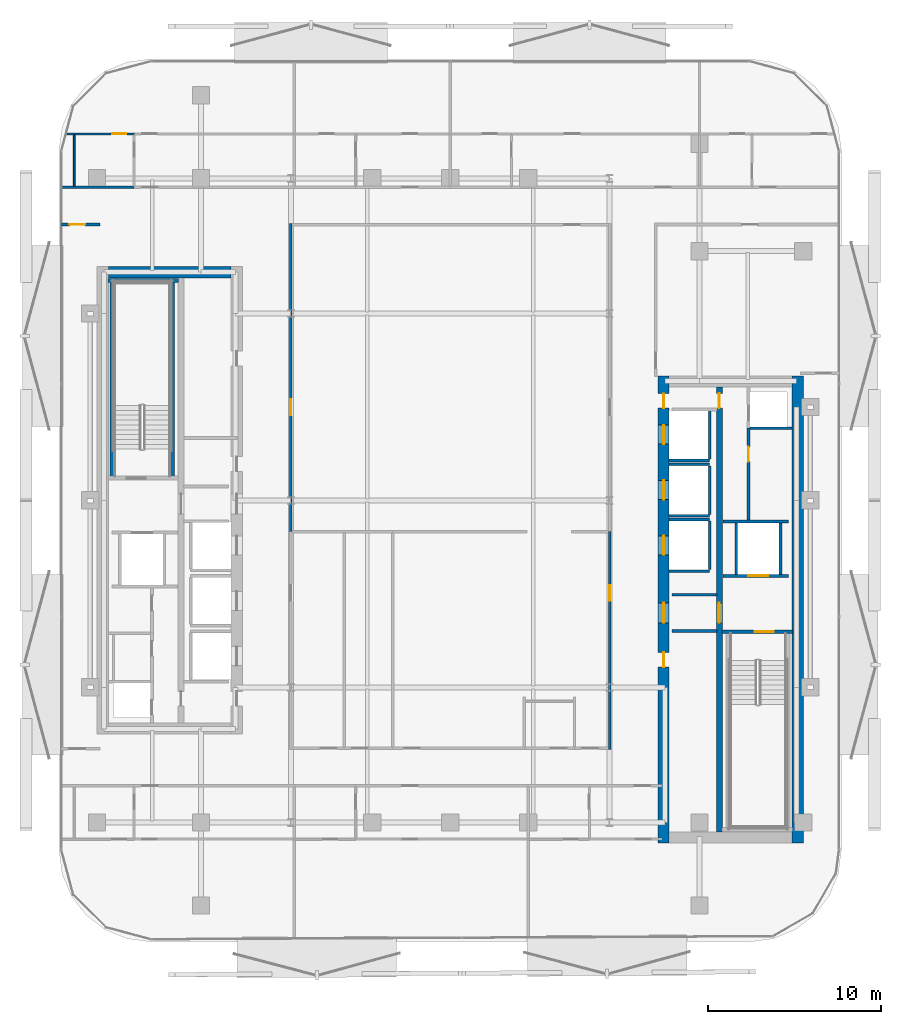
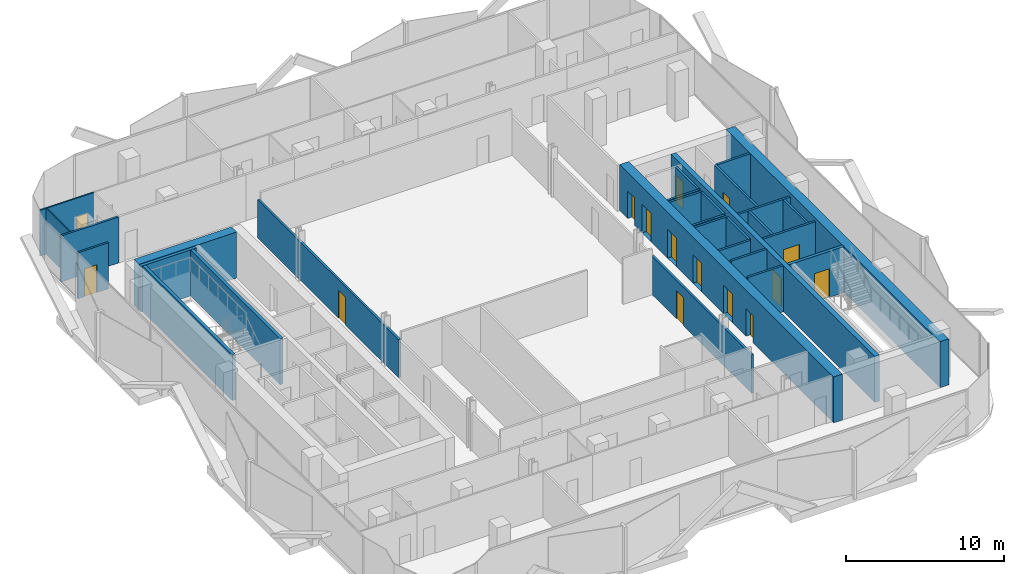
# One storey, part 5 of 17: 30 walls, 15 doors, 15 openings.
"""IFC4 building model written with IfcOpenShell, lengths in metres."""

from ifc_helpers import new_model, si_unit, direction, frame, frame_2d, origin, place, context, subcontext, project, spatial, rectangle, extrude, material, layer, layer_set, type_object, element, fill, save


model = new_model("IFC4")

# Units and contexts
model_context = context("Model", 3, precision=1e-05, world=origin(), true_north=direction((0.0, 1.0)))
body_context = subcontext(model_context, "Body", "Model", "MODEL_VIEW")
ifc_project = project(units=[si_unit("LENGTHUNIT", "METRE"), si_unit("AREAUNIT", "SQUARE_METRE"), si_unit("VOLUMEUNIT", "CUBIC_METRE"), si_unit("PLANEANGLEUNIT", "RADIAN"), si_unit("MASSUNIT", "GRAM", prefix="KILO")], contexts=[model_context])

# Site, building, storey
site_placement = place(None, origin())
site = spatial("IfcSite", under=ifc_project, at=site_placement, CompositionType="ELEMENT")
building_placement = place(site_placement, origin())
building = spatial("IfcBuilding", under=site, at=building_placement, Name="Khairoan Windgate Tower", CompositionType="ELEMENT")
storey_placement = place(building_placement, frame((0.0, 0.0, 203.0)))
storey = spatial("IfcBuildingStorey", under=building, at=storey_placement, Name="L47", CompositionType="ELEMENT", Elevation=203.0)

# Wall, opening, door
ifc_material_1 = material(Name="Moisture-Resistant Gypsum Partition", Category="gypsum")
ifc_layer_1 = layer(ifc_material_1, 0.10009765625, Name="Moisture-Resistant Gypsum Partition")
ifc_layer_set_1 = layer_set([ifc_layer_1], Name="Moisture-Resistant Gypsum Partition")
wall_type_1 = type_object("IfcWallType", Name="Bathroom Wet-Area Partition Wall", PredefinedType="PARTITIONING", material=ifc_layer_set_1)
wall_1_placement = place(storey_placement, frame((-22.193115234375, 21.169921875, 0.0), z_axis=(0.0, 0.0, 1.0), x_axis=(1.0, 0.0, 0.0)))
wall_1 = element("IfcWall", 1, at=wall_1_placement, inside=storey, type_object=wall_type_1, Name="L47 Interior Partition 047", PredefinedType="PARTITIONING", context=body_context, shape_type="SweptSolid", body=[
    extrude(rectangle(XDim=3.93310546875, YDim=0.10009765625, at=frame_2d((1.966552734375, 0.0))), origin(), (0.0, 0.0, 1.0), 3.5400390625),
])
opening_1_placement = place(wall_1_placement, frame((2.673095703125, 0.0, 0.0)))
opening_1 = element("IfcOpeningElement", 2, at=opening_1_placement, cuts=wall_1, Name="Opening ID-BTH", PredefinedType="OPENING", context=body_context, shape_type="SweptSolid", body=[
    extrude(rectangle(XDim=0.800048828125, YDim=2.10009765625, at=frame_2d((0.39990234375, 1.050048828125))), frame((0.0, 0.06005859375, 0.0), z_axis=(0.0, -1.0, 0.0), x_axis=(1.0, 0.0, 0.0)), (0.0, 0.0, 1.0), 0.1201171875),
])
ifc_material_2 = material(Name="Teak Veneer Timber Leaf", Category="wood")
door_type_1 = type_object("IfcDoorType", Name="Internal Bathroom Door ID-BTH 800x2100", OperationType="NOTDEFINED", PredefinedType="DOOR", material=ifc_material_2)
door_1_placement = place(opening_1_placement, origin())
door_1 = element("IfcDoor", 3, at=door_1_placement, inside=storey, type_object=door_type_1, Name="L47 L47-37-L47-39 Door", OperationType="SINGLE_SWING_LEFT", OverallHeight=2.10009765625, OverallWidth=0.800048828125, PredefinedType="DOOR", context=body_context, shape_type="SweptSolid", body=[
    extrude(rectangle(XDim=0.800048828125, YDim=2.10009765625, at=frame_2d((0.39990234375, 1.050048828125))), frame((0.0, 0.02490234375, 0.0), z_axis=(0.0, -1.0, 0.0), x_axis=(1.0, 0.0, 0.0)), (0.0, 0.0, 1.0), 0.050048828125),
])
fill(opening_1, door_1)

# Walls
wall_2_placement = place(storey_placement, frame((-21.719970703125, 18.155029296875, 0.0), z_axis=(0.0, 0.0, 1.0), x_axis=(0.0, 1.0, 0.0)))
element("IfcWall", 4, at=wall_2_placement, inside=storey, type_object=wall_type_1, Name="L47 Wet Room Side Wall 080", PredefinedType="PARTITIONING", context=body_context, shape_type="SweptSolid", body=[
    extrude(rectangle(XDim=2.965087890625, YDim=0.10009765625, at=frame_2d((1.482421875, 0.0))), origin(), (0.0, 0.0, 1.0), 3.5400390625),
])
ifc_material_3 = material(Name="Concrete C40/50", Category="concrete")
ifc_layer_2 = layer(ifc_material_3, 0.159912109375, Name="Concrete C40/50")
ifc_layer_set_2 = layer_set([ifc_layer_2], Name="Concrete C40/50")
wall_type_2 = type_object("IfcWallType", Name="Core and Hoistway Enclosure Wall", PredefinedType="STANDARD", material=ifc_layer_set_2)
wall_3_placement = place(storey_placement, frame((12.64990234375, 2.31005859375, 0.0), z_axis=(0.0, 0.0, 1.0), x_axis=(1.0, 0.0, 0.0)))
element("IfcWall", 5, at=wall_3_placement, inside=storey, type_object=wall_type_2, Name="L47 Lift PL7 Hoistway Divider S", PredefinedType="STANDARD", context=body_context, shape_type="SweptSolid", body=[
    extrude(rectangle(XDim=2.340087890625, YDim=0.159912109375, at=frame_2d((1.169921875, 0.0))), origin(), (0.0, 0.0, 1.0), 3.5400390625),
])
wall_4_placement = place(storey_placement, frame((14.989990234375, 2.39990234375, 0.0), z_axis=(0.0, 0.0, 1.0), x_axis=(0.0, 1.0, 0.0)))
element("IfcWall", 6, at=wall_4_placement, inside=storey, type_object=wall_type_2, Name="L47 Lift PL7 Hoistway Back Wall", PredefinedType="STANDARD", context=body_context, shape_type="SweptSolid", body=[
    extrude(rectangle(XDim=2.800048828125, YDim=0.159912109375, at=frame_2d((1.39990234375, 0.0))), origin(), (0.0, 0.0, 1.0), 3.5400390625),
])
for number, where, z_axis, x_axis, name in (
    (7, (12.64990234375, -0.889892578125, 0.0), (0.0, 0.0, 1.0), (1.0, 0.0, 0.0), "L47 Lift PL8 Hoistway Divider S"),
    (8, (12.64990234375, 2.090087890625, 0.0), (0.0, 0.0, 1.0), (1.0, 0.0, 0.0), "L47 Lift PL8 Hoistway Divider N"),
):
    element("IfcWall", number, at=place(storey_placement, frame(where, z_axis=z_axis, x_axis=x_axis)), inside=storey, type_object=wall_type_2, Name=name, PredefinedType="STANDARD", context=body_context, shape_type="SweptSolid", body=[
        extrude(rectangle(XDim=2.340087890625, YDim=0.159912109375, at=frame_2d((1.169921875, 0.0))), origin(), (0.0, 0.0, 1.0), 3.5400390625),
    ])
wall_5_placement = place(storey_placement, frame((14.989990234375, -0.800048828125, 0.0), z_axis=(0.0, 0.0, 1.0), x_axis=(0.0, 1.0, 0.0)))
element("IfcWall", 9, at=wall_5_placement, inside=storey, type_object=wall_type_2, Name="L47 Lift PL8 Hoistway Back Wall", PredefinedType="STANDARD", context=body_context, shape_type="SweptSolid", body=[
    extrude(rectangle(XDim=2.800048828125, YDim=0.159912109375, at=frame_2d((1.39990234375, 0.0))), origin(), (0.0, 0.0, 1.0), 3.5400390625),
])
for number, where, z_axis, x_axis, name in (
    (10, (12.64990234375, -4.090087890625, 0.0), (0.0, 0.0, 1.0), (1.0, 0.0, 0.0), "L47 Lift PL9 Hoistway Divider S"),
    (11, (12.64990234375, -1.110107421875, 0.0), (0.0, 0.0, 1.0), (1.0, 0.0, 0.0), "L47 Lift PL9 Hoistway Divider N"),
):
    element("IfcWall", number, at=place(storey_placement, frame(where, z_axis=z_axis, x_axis=x_axis)), inside=storey, type_object=wall_type_2, Name=name, PredefinedType="STANDARD", context=body_context, shape_type="SweptSolid", body=[
        extrude(rectangle(XDim=2.340087890625, YDim=0.159912109375, at=frame_2d((1.169921875, 0.0))), origin(), (0.0, 0.0, 1.0), 3.5400390625),
    ])
wall_6_placement = place(storey_placement, frame((14.989990234375, -4.0, 0.0), z_axis=(0.0, 0.0, 1.0), x_axis=(0.0, 1.0, 0.0)))
element("IfcWall", 12, at=wall_6_placement, inside=storey, type_object=wall_type_2, Name="L47 Lift PL9 Hoistway Back Wall", PredefinedType="STANDARD", context=body_context, shape_type="SweptSolid", body=[
    extrude(rectangle(XDim=2.800048828125, YDim=0.159912109375, at=frame_2d((1.39990234375, 0.0))), origin(), (0.0, 0.0, 1.0), 3.5400390625),
])

# Wall, opening, door
wall_7_placement = place(storey_placement, frame((15.75, -4.360107421875, 0.0), z_axis=(0.0, 0.0, 1.0), x_axis=(1.0, 0.0, 0.0)))
wall_7 = element("IfcWall", 13, at=wall_7_placement, inside=storey, type_object=wall_type_2, Name="L47 Core Shaft Wall SW-FL1-L47", PredefinedType="STANDARD", context=body_context, shape_type="SweptSolid", body=[
    extrude(rectangle(XDim=3.800048828125, YDim=0.159912109375, at=frame_2d((1.89990234375, 0.0))), origin(), (0.0, 0.0, 1.0), 3.5400390625),
])
opening_2_placement = place(wall_7_placement, frame((1.469970703125, 0.0, 0.0)))
opening_2 = element("IfcOpeningElement", 14, at=opening_2_placement, cuts=wall_7, Name="Opening LD-FL", PredefinedType="OPENING", context=body_context, shape_type="SweptSolid", body=[
    extrude(rectangle(XDim=1.14990234375, YDim=2.199951171875, at=frame_2d((0.574951171875, 1.10009765625))), frame((0.0, 0.08984375, 0.0), z_axis=(0.0, -1.0, 0.0), x_axis=(1.0, 0.0, 0.0)), (0.0, 0.0, 1.0), 0.179931640625),
])
ifc_material_4 = material(Name="Steel S355", Category="steel")
door_type_2 = type_object("IfcDoorType", Name="Firefighting Lift Sliding Landing Door LD-FL 1150x2200", OperationType="DOUBLE_DOOR_SLIDING", PredefinedType="DOOR", material=ifc_material_4)
door_2_placement = place(opening_2_placement, origin())
door_2 = element("IfcDoor", 15, at=door_2_placement, inside=storey, type_object=door_type_2, Name="L47 Firefighting Lift FL1 Landing Door", OperationType="DOUBLE_DOOR_SLIDING", OverallHeight=2.199951171875, OverallWidth=1.14990234375, PredefinedType="DOOR", context=body_context, shape_type="SweptSolid", body=[
    extrude(rectangle(XDim=1.14990234375, YDim=2.199951171875, at=frame_2d((0.574951171875, 1.10009765625))), frame((0.0, 0.02490234375, 0.0), z_axis=(0.0, -1.0, 0.0), x_axis=(1.0, 0.0, 0.0)), (0.0, 0.0, 1.0), 0.050048828125),
])
fill(opening_2, door_2)

# Walls
wall_8_placement = place(storey_placement, frame((15.75, -1.219970703125, 0.0), z_axis=(0.0, 0.0, 1.0), x_axis=(1.0, 0.0, 0.0)))
element("IfcWall", 16, at=wall_8_placement, inside=storey, type_object=wall_type_2, Name="L47 Core Shaft Wall SW-FL1T-L47", PredefinedType="STANDARD", context=body_context, shape_type="SweptSolid", body=[
    extrude(rectangle(XDim=3.800048828125, YDim=0.159912109375, at=frame_2d((1.89990234375, 0.0))), origin(), (0.0, 0.0, 1.0), 3.5400390625),
])
for number, where, z_axis, x_axis, name in (
    (17, (16.52001953125, -4.280029296875, 0.0), (0.0, 0.0, 1.0), (0.0, 1.0, 0.0), "L47 Core Shaft Wall SW-FL1W-L47"),
    (18, (19.080078125, -4.280029296875, 0.0), (0.0, 0.0, 1.0), (0.0, 1.0, 0.0), "L47 Core Shaft Wall SW-FL1E-L47"),
):
    element("IfcWall", number, at=place(storey_placement, frame(where, z_axis=z_axis, x_axis=x_axis)), inside=storey, type_object=wall_type_2, Name=name, PredefinedType="STANDARD", context=body_context, shape_type="SweptSolid", body=[
        extrude(rectangle(XDim=2.97998046875, YDim=0.159912109375, at=frame_2d((1.489990234375, 0.0))), origin(), (0.0, 0.0, 1.0), 3.5400390625),
    ])
for number, where, z_axis, x_axis, name in (
    (19, (12.800048828125, -5.449951171875, 0.0), (0.0, 0.0, 1.0), (1.0, 0.0, 0.0), "L47 Core Shaft Wall SW-EV1-L47"),
    (20, (12.800048828125, -7.5400390625, 0.0), (0.0, 0.0, 1.0), (1.0, 0.0, 0.0), "L47 Core Shaft Wall SW-EV2-L47"),
):
    element("IfcWall", number, at=place(storey_placement, frame(where, z_axis=z_axis, x_axis=x_axis)), inside=storey, type_object=wall_type_2, Name=name, PredefinedType="STANDARD", context=body_context, shape_type="SweptSolid", body=[
        extrude(rectangle(XDim=2.599853515625, YDim=0.159912109375, at=frame_2d((1.2998046875, 0.0))), origin(), (0.0, 0.0, 1.0), 3.5400390625),
    ])

# Wall, opening, door
ifc_material_5 = material(Name="Concrete C40/50", Category="concrete")
ifc_layer_3 = layer(ifc_material_5, 0.159912109375, Name="Concrete C40/50")
ifc_layer_set_3 = layer_set([ifc_layer_3], Name="Concrete C40/50")
wall_type_3 = type_object("IfcWallType", Name="Plant and Refuge Compartment Wall", PredefinedType="PARTITIONING", material=ifc_layer_set_3)
wall_9_placement = place(storey_placement, frame((17.22998046875, -1.139892578125, 0.0), z_axis=(0.0, 0.0, 1.0), x_axis=(0.0, 1.0, 0.0)))
wall_9 = element("IfcWall", 21, at=wall_9_placement, inside=storey, type_object=wall_type_3, Name="L47 Interior Partition 008", PredefinedType="PARTITIONING", context=body_context, shape_type="SweptSolid", body=[
    extrude(rectangle(XDim=5.309814453125, YDim=0.159912109375, at=frame_2d((2.65478515625, 0.0))), origin(), (0.0, 0.0, 1.0), 3.5400390625),
])
opening_3_placement = place(wall_9_placement, frame((3.375244140625, 0.0, 0.0)))
opening_3 = element("IfcOpeningElement", 22, at=opening_3_placement, cuts=wall_9, Name="Opening FD-SRV", PredefinedType="OPENING", context=body_context, shape_type="SweptSolid", body=[
    extrude(rectangle(XDim=0.85009765625, YDim=2.10009765625, at=frame_2d((0.425048828125, 1.050048828125))), frame((0.0, 0.08984375, 0.0), z_axis=(0.0, -1.0, 0.0), x_axis=(1.0, 0.0, 0.0)), (0.0, 0.0, 1.0), 0.179931640625),
])
ifc_material_6 = material(Name="Steel S355", Category="steel")
door_type_3 = type_object("IfcDoorType", Name="Core Service and Riser Fire Door FD-SRV 850x2100", OperationType="NOTDEFINED", PredefinedType="DOOR", material=ifc_material_6)
door_3_placement = place(opening_3_placement, origin())
door_3 = element("IfcDoor", 23, at=door_3_placement, inside=storey, type_object=door_type_3, Name="L47 L47-18-L47-20 Door", OperationType="SINGLE_SWING_RIGHT", OverallHeight=2.10009765625, OverallWidth=0.85009765625, PredefinedType="DOOR", context=body_context, shape_type="SweptSolid", body=[
    extrude(rectangle(XDim=0.85009765625, YDim=2.10009765625, at=frame_2d((0.425048828125, 1.050048828125))), frame((0.0, 0.02490234375, 0.0), z_axis=(0.0, -1.0, 0.0), x_axis=(1.0, 0.0, 0.0)), (0.0, 0.0, 1.0), 0.050048828125),
])
fill(opening_3, door_3)

# Wall
wall_10_placement = place(storey_placement, frame((17.31005859375, 4.169921875, 0.0), z_axis=(0.0, 0.0, 1.0), x_axis=(1.0, 0.0, 0.0)))
element("IfcWall", 24, at=wall_10_placement, inside=storey, type_object=wall_type_3, Name="L47 Interior Partition 009", PredefinedType="PARTITIONING", context=body_context, shape_type="SweptSolid", body=[
    extrude(rectangle(XDim=2.43994140625, YDim=0.159912109375, at=frame_2d((1.219970703125, 0.0))), origin(), (0.0, 0.0, 1.0), 3.5400390625),
])

# Wall, opening, door
ifc_material_7 = material(Name="Acoustic Fire-Rated Gypsum Partition", Category="gypsum")
ifc_layer_4 = layer(ifc_material_7, 0.14990234375, Name="Acoustic Fire-Rated Gypsum Partition")
ifc_layer_set_4 = layer_set([ifc_layer_4], Name="Acoustic Fire-Rated Gypsum Partition")
wall_type_4 = type_object("IfcWallType", Name="Rated Corridor Partition Wall", PredefinedType="PARTITIONING", material=ifc_layer_set_4)
wall_11_placement = place(storey_placement, frame((-9.219970703125, -1.800048828125, 0.0), z_axis=(0.0, 0.0, 1.0), x_axis=(0.0, 1.0, 0.0)))
wall_11 = element("IfcWall", 25, at=wall_11_placement, inside=storey, type_object=wall_type_4, Name="L47 Interior Partition 011", PredefinedType="PARTITIONING", context=body_context, shape_type="SweptSolid", body=[
    extrude(rectangle(XDim=17.795166015625, YDim=0.14990234375, at=frame_2d((8.8974609375, 0.0))), origin(), (0.0, 0.0, 1.0), 2.951904296875),
])
opening_4_placement = place(wall_11_placement, frame((6.728759765625, 0.0, 0.0)))
opening_4 = element("IfcOpeningElement", 26, at=opening_4_placement, cuts=wall_11, Name="Opening FD-ENT", PredefinedType="OPENING", context=body_context, shape_type="SweptSolid", body=[
    extrude(rectangle(XDim=0.89990234375, YDim=2.14990234375, at=frame_2d((0.449951171875, 1.074951171875))), frame((0.0, 0.0849609375, 0.0), z_axis=(0.0, -1.0, 0.0), x_axis=(1.0, 0.0, 0.0)), (0.0, 0.0, 1.0), 0.169921875),
])
ifc_material_8 = material(Name="Timber Fire-Rated Core", Category="wood")
door_type_4 = type_object("IfcDoorType", Name="Unit and Office Fire Entrance Door FD-ENT 900x2150", OperationType="NOTDEFINED", PredefinedType="DOOR", material=ifc_material_8)
door_4_placement = place(opening_4_placement, origin())
door_4 = element("IfcDoor", 27, at=door_4_placement, inside=storey, type_object=door_type_4, Name="L47 L47-27-L47-36 Door", OperationType="SINGLE_SWING_RIGHT", OverallHeight=2.14990234375, OverallWidth=0.89990234375, PredefinedType="DOOR", context=body_context, shape_type="SweptSolid", body=[
    extrude(rectangle(XDim=0.89990234375, YDim=2.14990234375, at=frame_2d((0.449951171875, 1.074951171875))), frame((0.0, 0.02490234375, 0.0), z_axis=(0.0, -1.0, 0.0), x_axis=(1.0, 0.0, 0.0)), (0.0, 0.0, 1.0), 0.050048828125),
])
fill(opening_4, door_4)

wall_12_placement = place(storey_placement, frame((9.219970703125, -14.39501953125, 0.0), z_axis=(0.0, 0.0, 1.0), x_axis=(0.0, 1.0, 0.0)))
wall_12 = element("IfcWall", 28, at=wall_12_placement, inside=storey, type_object=wall_type_4, Name="L47 Interior Partition 012", PredefinedType="PARTITIONING", context=body_context, shape_type="SweptSolid", body=[
    extrude(rectangle(XDim=12.594970703125, YDim=0.14990234375, at=frame_2d((6.29736328125, 0.0))), origin(), (0.0, 0.0, 1.0), 2.951904296875),
])
opening_5_placement = place(wall_12_placement, frame((8.592041015625, 0.0, 0.0)))
opening_5 = element("IfcOpeningElement", 29, at=opening_5_placement, cuts=wall_12, Name="Opening FD-ENT", PredefinedType="OPENING", context=body_context, shape_type="SweptSolid", body=[
    extrude(rectangle(XDim=0.89990234375, YDim=2.14990234375, at=frame_2d((0.449951171875, 1.074951171875))), frame((0.0, 0.0849609375, 0.0), z_axis=(0.0, -1.0, 0.0), x_axis=(1.0, 0.0, 0.0)), (0.0, 0.0, 1.0), 0.169921875),
])
door_5_placement = place(opening_5_placement, origin())
door_5 = element("IfcDoor", 30, at=door_5_placement, inside=storey, type_object=door_type_4, Name="L47 L47-28-L47-35 Door", OperationType="SINGLE_SWING_LEFT", OverallHeight=2.14990234375, OverallWidth=0.89990234375, PredefinedType="DOOR", context=body_context, shape_type="SweptSolid", body=[
    extrude(rectangle(XDim=0.89990234375, YDim=2.14990234375, at=frame_2d((0.449951171875, 1.074951171875))), frame((0.0, 0.02490234375, 0.0), z_axis=(0.0, -1.0, 0.0), x_axis=(1.0, 0.0, 0.0)), (0.0, 0.0, 1.0), 0.050048828125),
])
fill(opening_5, door_5)

# Wall
wall_13_placement = place(storey_placement, frame((-22.455078125, 18.080078125, 0.0), z_axis=(0.0, 0.0, 1.0), x_axis=(1.0, 0.0, 0.0)))
element("IfcWall", 31, at=wall_13_placement, inside=storey, type_object=wall_type_4, Name="L47 Interior Partition 016", PredefinedType="PARTITIONING", context=body_context, shape_type="SweptSolid", body=[
    extrude(rectangle(XDim=4.195068359375, YDim=0.14990234375, at=frame_2d((2.09765625, 0.0))), origin(), (0.0, 0.0, 1.0), 3.5400390625),
])

# Wall, opening, door
wall_14_placement = place(storey_placement, frame((-22.455078125, 15.93994140625, 0.0), z_axis=(0.0, 0.0, 1.0), x_axis=(1.0, 0.0, 0.0)))
wall_14 = element("IfcWall", 32, at=wall_14_placement, inside=storey, type_object=wall_type_4, Name="L47 Interior Partition 025", PredefinedType="PARTITIONING", context=body_context, shape_type="SweptSolid", body=[
    extrude(rectangle(XDim=2.215087890625, YDim=0.14990234375, at=frame_2d((1.107421875, 0.0))), origin(), (0.0, 0.0, 1.0), 3.5400390625),
])
opening_6_placement = place(wall_14_placement, frame((0.4599609375, 0.0, 0.0)))
opening_6 = element("IfcOpeningElement", 33, at=opening_6_placement, cuts=wall_14, Name="Opening FD-ENT", PredefinedType="OPENING", context=body_context, shape_type="SweptSolid", body=[
    extrude(rectangle(XDim=0.89990234375, YDim=2.14990234375, at=frame_2d((0.449951171875, 1.074951171875))), frame((0.0, 0.0849609375, 0.0), z_axis=(0.0, -1.0, 0.0), x_axis=(1.0, 0.0, 0.0)), (0.0, 0.0, 1.0), 0.169921875),
])
door_6_placement = place(opening_6_placement, origin())
door_6 = element("IfcDoor", 34, at=door_6_placement, inside=storey, type_object=door_type_4, Name="L47 L47-29-L47-59 Door", OperationType="SINGLE_SWING_RIGHT", OverallHeight=2.14990234375, OverallWidth=0.89990234375, PredefinedType="DOOR", context=body_context, shape_type="SweptSolid", body=[
    extrude(rectangle(XDim=0.89990234375, YDim=2.14990234375, at=frame_2d((0.449951171875, 1.074951171875))), frame((0.0, 0.02490234375, 0.0), z_axis=(0.0, -1.0, 0.0), x_axis=(1.0, 0.0, 0.0)), (0.0, 0.0, 1.0), 0.050048828125),
])
fill(opening_6, door_6)

# Wall, openings, doors
ifc_material_9 = material(Name="Concrete C60/75", Category="concrete")
ifc_layer_5 = layer(ifc_material_9, 0.64990234375, Name="Concrete C60/75")
ifc_layer_set_5 = layer_set([ifc_layer_5], Name="Concrete C60/75")
wall_type_5 = type_object("IfcWallType", Name="Shear Wall CW-E2 650mm", PredefinedType="SHEAR", material=ifc_layer_set_5)
wall_15_placement = place(storey_placement, frame((12.324951171875, -19.800048828125, 0.0), z_axis=(0.0, 0.0, 1.0), x_axis=(0.0, 1.0, 0.0)))
wall_15 = element("IfcWall", 35, at=wall_15_placement, inside=storey, type_object=wall_type_5, Name="E Core West Shear Wall L47", PredefinedType="SHEAR", context=body_context, shape_type="SweptSolid", body=[
    extrude(rectangle(XDim=27.0, YDim=0.64990234375, at=frame_2d((13.5, 0.0))), origin(), (0.0, 0.0, 1.0), 3.5400390625),
])
opening_7_placement = place(wall_15_placement, frame((23.050048828125, 0.0, 0.0)))
opening_7 = element("IfcOpeningElement", 36, at=opening_7_placement, cuts=wall_15, Name="Opening LD-PL", PredefinedType="OPENING", context=body_context, shape_type="SweptSolid", body=[
    extrude(rectangle(XDim=1.10009765625, YDim=2.199951171875, at=frame_2d((0.550048828125, 1.10009765625))), frame((0.0, 0.3349609375, 0.0), z_axis=(0.0, -1.0, 0.0), x_axis=(1.0, 0.0, 0.0)), (0.0, 0.0, 1.0), 0.669921875),
])
opening_8_placement = place(wall_15_placement, frame((19.85009765625, 0.0, 0.0)))
opening_8 = element("IfcOpeningElement", 37, at=opening_8_placement, cuts=wall_15, Name="Opening LD-PL", PredefinedType="OPENING", context=body_context, shape_type="SweptSolid", body=[
    extrude(rectangle(XDim=1.10009765625, YDim=2.199951171875, at=frame_2d((0.550048828125, 1.10009765625))), frame((0.0, 0.3349609375, 0.0), z_axis=(0.0, -1.0, 0.0), x_axis=(1.0, 0.0, 0.0)), (0.0, 0.0, 1.0), 0.669921875),
])
opening_9_placement = place(wall_15_placement, frame((16.64990234375, 0.0, 0.0)))
opening_9 = element("IfcOpeningElement", 38, at=opening_9_placement, cuts=wall_15, Name="Opening LD-PL", PredefinedType="OPENING", context=body_context, shape_type="SweptSolid", body=[
    extrude(rectangle(XDim=1.10009765625, YDim=2.199951171875, at=frame_2d((0.550048828125, 1.10009765625))), frame((0.0, 0.3349609375, 0.0), z_axis=(0.0, -1.0, 0.0), x_axis=(1.0, 0.0, 0.0)), (0.0, 0.0, 1.0), 0.669921875),
])
opening_10_placement = place(wall_15_placement, frame((10.175048828125, 0.0, 0.0)))
opening_10 = element("IfcOpeningElement", 39, at=opening_10_placement, cuts=wall_15, Name="Opening FD-SRV", PredefinedType="OPENING", context=body_context, shape_type="SweptSolid", body=[
    extrude(rectangle(XDim=0.85009765625, YDim=2.10009765625, at=frame_2d((0.425048828125, 1.050048828125))), frame((0.0, 0.3349609375, 0.0), z_axis=(0.0, -1.0, 0.0), x_axis=(1.0, 0.0, 0.0)), (0.0, 0.0, 1.0), 0.669921875),
])
opening_11_placement = place(wall_15_placement, frame((12.72509765625, 0.0, 0.0)))
opening_11 = element("IfcOpeningElement", 40, at=opening_11_placement, cuts=wall_15, Name="Opening FD-FFL", PredefinedType="OPENING", context=body_context, shape_type="SweptSolid", body=[
    extrude(rectangle(XDim=1.14990234375, YDim=2.199951171875, at=frame_2d((0.574951171875, 1.10009765625))), frame((0.0, 0.3349609375, 0.0), z_axis=(0.0, -1.0, 0.0), x_axis=(1.0, 0.0, 0.0)), (0.0, 0.0, 1.0), 0.669921875),
])
opening_12_placement = place(wall_15_placement, frame((25.125, 0.0, 0.0)))
opening_12 = element("IfcOpeningElement", 41, at=opening_12_placement, cuts=wall_15, Name="Opening FD-SRV", PredefinedType="OPENING", context=body_context, shape_type="SweptSolid", body=[
    extrude(rectangle(XDim=0.85009765625, YDim=2.10009765625, at=frame_2d((0.425048828125, 1.050048828125))), frame((0.0, 0.3349609375, 0.0), z_axis=(0.0, -1.0, 0.0), x_axis=(1.0, 0.0, 0.0)), (0.0, 0.0, 1.0), 0.669921875),
])
door_7_placement = place(opening_10_placement, origin())
door_7 = element("IfcDoor", 42, at=door_7_placement, inside=storey, type_object=door_type_3, Name="L47 East Core Service Room Door 1", OperationType="SINGLE_SWING_LEFT", OverallHeight=2.10009765625, OverallWidth=0.85009765625, PredefinedType="DOOR", context=body_context, shape_type="SweptSolid", body=[
    extrude(rectangle(XDim=0.85009765625, YDim=2.10009765625, at=frame_2d((0.425048828125, 1.050048828125))), frame((0.0, 0.02490234375, 0.0), z_axis=(0.0, -1.0, 0.0), x_axis=(1.0, 0.0, 0.0)), (0.0, 0.0, 1.0), 0.050048828125),
])
fill(opening_10, door_7)
door_8_placement = place(opening_12_placement, origin())
door_8 = element("IfcDoor", 43, at=door_8_placement, inside=storey, type_object=door_type_3, Name="L47 East Core Service Vestibule Outer Door", OperationType="SINGLE_SWING_RIGHT", OverallHeight=2.10009765625, OverallWidth=0.85009765625, PredefinedType="DOOR", context=body_context, shape_type="SweptSolid", body=[
    extrude(rectangle(XDim=0.85009765625, YDim=2.10009765625, at=frame_2d((0.425048828125, 1.050048828125))), frame((0.0, 0.02490234375, 0.0), z_axis=(0.0, -1.0, 0.0), x_axis=(1.0, 0.0, 0.0)), (0.0, 0.0, 1.0), 0.050048828125),
])
fill(opening_12, door_8)
ifc_material_10 = material(Name="Steel S355", Category="steel")
door_type_5 = type_object("IfcDoorType", Name="Firefighting Lobby Fire Door FD-FFL 1150x2200", OperationType="NOTDEFINED", PredefinedType="DOOR", material=ifc_material_10)
door_9_placement = place(opening_11_placement, origin())
door_9 = element("IfcDoor", 44, at=door_9_placement, inside=storey, type_object=door_type_5, Name="L47 East Core Vestibule Entry Door", OperationType="SINGLE_SWING_RIGHT", OverallHeight=2.199951171875, OverallWidth=1.14990234375, PredefinedType="DOOR", context=body_context, shape_type="SweptSolid", body=[
    extrude(rectangle(XDim=1.14990234375, YDim=2.199951171875, at=frame_2d((0.574951171875, 1.10009765625))), frame((0.0, 0.02490234375, 0.0), z_axis=(0.0, -1.0, 0.0), x_axis=(1.0, 0.0, 0.0)), (0.0, 0.0, 1.0), 0.050048828125),
])
fill(opening_11, door_9)
ifc_material_11 = material(Name="Anodised Bronze Aluminium 6063-T6", Category="aluminium")
door_type_6 = type_object("IfcDoorType", Name="Passenger Lift Sliding Landing Door LD-PL 1100x2200", OperationType="DOUBLE_DOOR_SLIDING", PredefinedType="DOOR", material=ifc_material_11)
door_10_placement = place(opening_7_placement, origin())
door_10 = element("IfcDoor", 45, at=door_10_placement, inside=storey, type_object=door_type_6, Name="L47 Lift PL7 Sliding Landing Door", OperationType="DOUBLE_DOOR_SLIDING", OverallHeight=2.199951171875, OverallWidth=1.10009765625, PredefinedType="DOOR", context=body_context, shape_type="SweptSolid", body=[
    extrude(rectangle(XDim=1.10009765625, YDim=2.199951171875, at=frame_2d((0.550048828125, 1.10009765625))), frame((0.0, 0.02490234375, 0.0), z_axis=(0.0, -1.0, 0.0), x_axis=(1.0, 0.0, 0.0)), (0.0, 0.0, 1.0), 0.050048828125),
])
fill(opening_7, door_10)
door_11_placement = place(opening_8_placement, origin())
door_11 = element("IfcDoor", 46, at=door_11_placement, inside=storey, type_object=door_type_6, Name="L47 Lift PL8 Sliding Landing Door", OperationType="DOUBLE_DOOR_SLIDING", OverallHeight=2.199951171875, OverallWidth=1.10009765625, PredefinedType="DOOR", context=body_context, shape_type="SweptSolid", body=[
    extrude(rectangle(XDim=1.10009765625, YDim=2.199951171875, at=frame_2d((0.550048828125, 1.10009765625))), frame((0.0, 0.02490234375, 0.0), z_axis=(0.0, -1.0, 0.0), x_axis=(1.0, 0.0, 0.0)), (0.0, 0.0, 1.0), 0.050048828125),
])
fill(opening_8, door_11)
door_12_placement = place(opening_9_placement, origin())
door_12 = element("IfcDoor", 47, at=door_12_placement, inside=storey, type_object=door_type_6, Name="L47 Lift PL9 Sliding Landing Door", OperationType="DOUBLE_DOOR_SLIDING", OverallHeight=2.199951171875, OverallWidth=1.10009765625, PredefinedType="DOOR", context=body_context, shape_type="SweptSolid", body=[
    extrude(rectangle(XDim=1.10009765625, YDim=2.199951171875, at=frame_2d((0.550048828125, 1.10009765625))), frame((0.0, 0.02490234375, 0.0), z_axis=(0.0, -1.0, 0.0), x_axis=(1.0, 0.0, 0.0)), (0.0, 0.0, 1.0), 0.050048828125),
])
fill(opening_9, door_12)

# Walls
wall_16_placement = place(storey_placement, frame((20.074951171875, -19.800048828125, 0.0), z_axis=(0.0, 0.0, 1.0), x_axis=(0.0, 1.0, 0.0)))
element("IfcWall", 48, at=wall_16_placement, inside=storey, type_object=wall_type_5, Name="E Core East Shear Wall L47", PredefinedType="SHEAR", context=body_context, shape_type="SweptSolid", body=[
    extrude(rectangle(XDim=27.0, YDim=0.64990234375, at=frame_2d((13.5, 0.0))), origin(), (0.0, 0.0, 1.0), 3.5400390625),
])
ifc_material_12 = material(Name="Concrete C60/75", Category="concrete")
ifc_layer_6 = layer(ifc_material_12, 0.64990234375, Name="Concrete C60/75")
ifc_layer_set_6 = layer_set([ifc_layer_6], Name="Concrete C60/75")
wall_type_6 = type_object("IfcWallType", Name="Shear Wall CW-W2 650mm", PredefinedType="SHEAR", material=ifc_layer_set_6)
wall_17_placement = place(storey_placement, frame((-19.75, 13.175048828125, 0.0), z_axis=(0.0, 0.0, 1.0), x_axis=(1.0, 0.0, 0.0)))
element("IfcWall", 49, at=wall_17_placement, inside=storey, type_object=wall_type_6, Name="W Core North Shear Wall L47", PredefinedType="SHEAR", context=body_context, shape_type="SweptSolid", body=[
    extrude(rectangle(XDim=7.10009765625, YDim=0.64990234375, at=frame_2d((3.550048828125, 0.0))), origin(), (0.0, 0.0, 1.0), 3.5400390625),
])

# Wall, openings, doors
ifc_material_13 = material(Name="Concrete C60/75", Category="concrete")
ifc_layer_7 = layer(ifc_material_13, 0.35009765625, Name="Concrete C60/75")
ifc_layer_set_7 = layer_set([ifc_layer_7], Name="Concrete C60/75")
wall_type_7 = type_object("IfcWallType", Name="Shear Wall SW-1 350mm", PredefinedType="SHEAR", material=ifc_layer_set_7)
wall_18_placement = place(storey_placement, frame((15.550048828125, -19.14990234375, 0.0), z_axis=(0.0, 0.0, 1.0), x_axis=(0.0, 1.0, 0.0)))
wall_18 = element("IfcWall", 50, at=wall_18_placement, inside=storey, type_object=wall_type_7, Name="E Core Spine Shear Wall L47", PredefinedType="SHEAR", context=body_context, shape_type="SweptSolid", body=[
    extrude(rectangle(XDim=25.699951171875, YDim=0.35009765625, at=frame_2d((12.85009765625, 0.0))), origin(), (0.0, 0.0, 1.0), 3.5400390625),
])
opening_13_placement = place(wall_18_placement, frame((12.074951171875, 0.0, 0.0)))
opening_13 = element("IfcOpeningElement", 51, at=opening_13_placement, cuts=wall_18, Name="Opening FD-FFL", PredefinedType="OPENING", context=body_context, shape_type="SweptSolid", body=[
    extrude(rectangle(XDim=1.14990234375, YDim=2.199951171875, at=frame_2d((0.574951171875, 1.10009765625))), frame((0.0, 0.18505859375, 0.0), z_axis=(0.0, -1.0, 0.0), x_axis=(1.0, 0.0, 0.0)), (0.0, 0.0, 1.0), 0.3701171875),
])
opening_14_placement = place(wall_18_placement, frame((24.47509765625, 0.0, 0.0)))
opening_14 = element("IfcOpeningElement", 52, at=opening_14_placement, cuts=wall_18, Name="Opening FD-SRV", PredefinedType="OPENING", context=body_context, shape_type="SweptSolid", body=[
    extrude(rectangle(XDim=0.85009765625, YDim=2.10009765625, at=frame_2d((0.425048828125, 1.050048828125))), frame((0.0, 0.18505859375, 0.0), z_axis=(0.0, -1.0, 0.0), x_axis=(1.0, 0.0, 0.0)), (0.0, 0.0, 1.0), 0.3701171875),
])
door_13_placement = place(opening_14_placement, origin())
door_13 = element("IfcDoor", 53, at=door_13_placement, inside=storey, type_object=door_type_3, Name="L47 East Core Service Passage Inner Door", OperationType="SINGLE_SWING_LEFT", OverallHeight=2.10009765625, OverallWidth=0.85009765625, PredefinedType="DOOR", context=body_context, shape_type="SweptSolid", body=[
    extrude(rectangle(XDim=0.85009765625, YDim=2.10009765625, at=frame_2d((0.425048828125, 1.050048828125))), frame((0.0, 0.02490234375, 0.0), z_axis=(0.0, -1.0, 0.0), x_axis=(1.0, 0.0, 0.0)), (0.0, 0.0, 1.0), 0.050048828125),
])
fill(opening_14, door_13)
door_14_placement = place(opening_13_placement, origin())
door_14 = element("IfcDoor", 54, at=door_14_placement, inside=storey, type_object=door_type_5, Name="L47 East Firefighting Lobby Fire Door", OperationType="SINGLE_SWING_LEFT", OverallHeight=2.199951171875, OverallWidth=1.14990234375, PredefinedType="DOOR", context=body_context, shape_type="SweptSolid", body=[
    extrude(rectangle(XDim=1.14990234375, YDim=2.199951171875, at=frame_2d((0.574951171875, 1.10009765625))), frame((0.0, 0.02490234375, 0.0), z_axis=(0.0, -1.0, 0.0), x_axis=(1.0, 0.0, 0.0)), (0.0, 0.0, 1.0), 0.050048828125),
])
fill(opening_13, door_14)

# Wall, opening, door
ifc_material_14 = material(Name="Concrete C50/60", Category="concrete")
ifc_layer_8 = layer(ifc_material_14, 0.219970703125, Name="Concrete C50/60")
ifc_layer_set_8 = layer_set([ifc_layer_8], Name="Concrete C50/60")
wall_type_8 = type_object("IfcWallType", Name="Shear Wall SW-ST 220mm", PredefinedType="SHEAR", material=ifc_layer_set_8)
wall_19_placement = place(storey_placement, frame((19.77001953125, -7.590087890625, 0.0), z_axis=(0.0, 0.0, 1.0), x_axis=(-1.0, 0.0, 0.0)))
wall_19 = element("IfcWall", 55, at=wall_19_placement, inside=storey, type_object=wall_type_8, Name="L47 Stair ST1 North Bearing Wall", PredefinedType="SHEAR", context=body_context, shape_type="SweptSolid", body=[
    extrude(rectangle(XDim=4.06494140625, YDim=0.219970703125, at=frame_2d((2.032470703125, 0.0))), origin(), (0.0, 0.0, 1.0), 3.5400390625),
])
opening_15_placement = place(wall_19_placement, frame((1.080078125, 0.0, 0.0)))
opening_15 = element("IfcOpeningElement", 56, at=opening_15_placement, cuts=wall_19, Name="Opening FD-ST", PredefinedType="OPENING", context=body_context, shape_type="SweptSolid", body=[
    extrude(rectangle(XDim=1.10009765625, YDim=2.199951171875, at=frame_2d((0.550048828125, 1.10009765625))), frame((0.0, 0.119873046875, 0.0), z_axis=(0.0, -1.0, 0.0), x_axis=(1.0, 0.0, 0.0)), (0.0, 0.0, 1.0), 0.239990234375),
])
ifc_material_15 = material(Name="Steel S355", Category="steel")
door_type_7 = type_object("IfcDoorType", Name="Smokeproof Stair Fire Door FD-ST 1100x2200", OperationType="NOTDEFINED", PredefinedType="DOOR", material=ifc_material_15)
door_15_placement = place(opening_15_placement, origin())
door_15 = element("IfcDoor", 57, at=door_15_placement, inside=storey, type_object=door_type_7, Name="L47 Stair ST1 Fire Door", OperationType="SINGLE_SWING_LEFT", OverallHeight=2.199951171875, OverallWidth=1.10009765625, PredefinedType="DOOR", context=body_context, shape_type="SweptSolid", body=[
    extrude(rectangle(XDim=1.10009765625, YDim=2.199951171875, at=frame_2d((0.550048828125, 1.10009765625))), frame((0.0, 0.02490234375, 0.0), z_axis=(0.0, -1.0, 0.0), x_axis=(1.0, 0.0, 0.0)), (0.0, 0.0, 1.0), 0.050048828125),
])
fill(opening_15, door_15)

# Walls
for number, where, z_axis, x_axis, name in (
    (58, (-16.0400390625, 1.2900390625, 0.0), (0.0, 0.0, 1.0), (0.0, 1.0, 0.0), "L47 Stair ST2 East Bearing Wall"),
    (59, (-19.530029296875, 1.2900390625, 0.0), (0.0, 0.0, 1.0), (0.0, 1.0, 0.0), "L47 Stair ST2 West Bearing Wall"),
):
    element("IfcWall", number, at=place(storey_placement, frame(where, z_axis=z_axis, x_axis=x_axis)), inside=storey, type_object=wall_type_8, Name=name, PredefinedType="SHEAR", context=body_context, shape_type="SweptSolid", body=[
        extrude(rectangle(XDim=11.419921875, YDim=0.219970703125, at=frame_2d((5.7099609375, 0.0))), origin(), (0.0, 0.0, 1.0), 3.5400390625),
    ])
wall_20_placement = place(storey_placement, frame((-19.77001953125, 12.7099609375, 0.0), z_axis=(0.0, 0.0, 1.0), x_axis=(1.0, 0.0, 0.0)))
element("IfcWall", 60, at=wall_20_placement, inside=storey, type_object=wall_type_8, Name="L47 Stair ST2 North Bearing Wall", PredefinedType="SHEAR", context=body_context, shape_type="SweptSolid", body=[
    extrude(rectangle(XDim=4.06494140625, YDim=0.219970703125, at=frame_2d((2.032470703125, 0.0))), origin(), (0.0, 0.0, 1.0), 3.5400390625),
])

save(model, "model.ifc")
